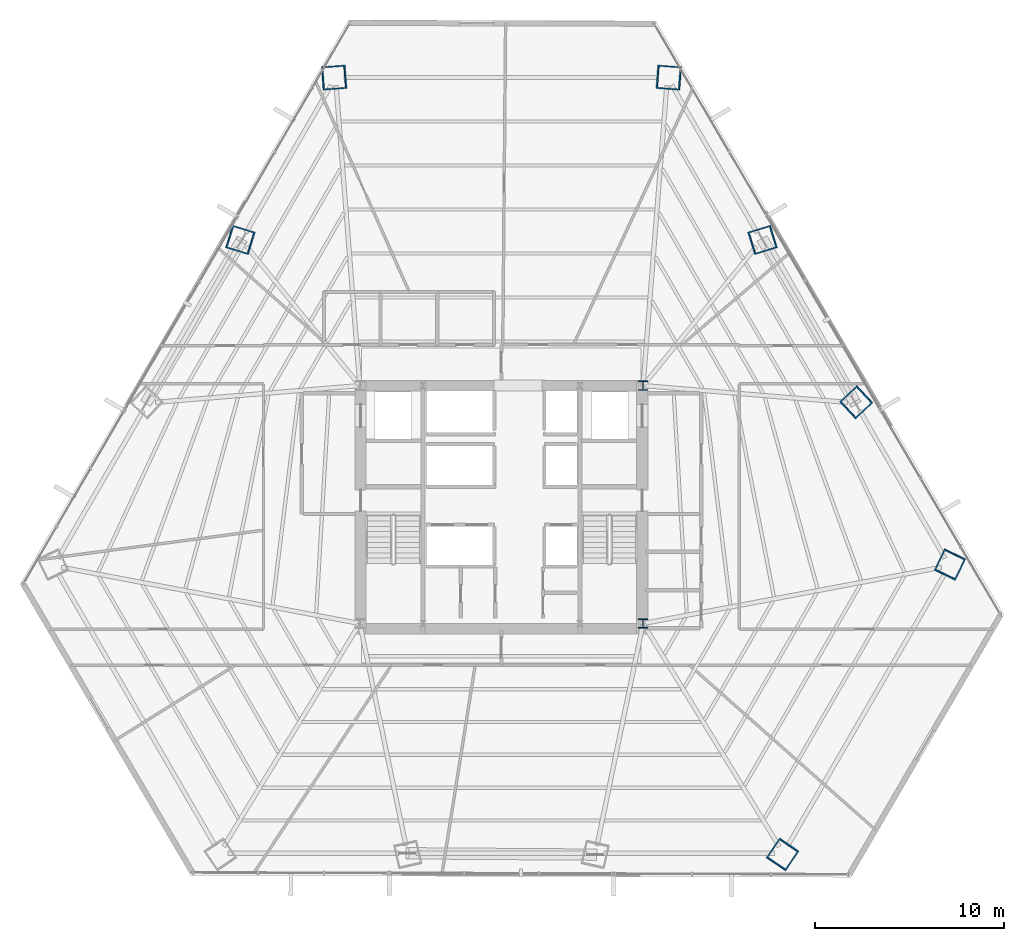
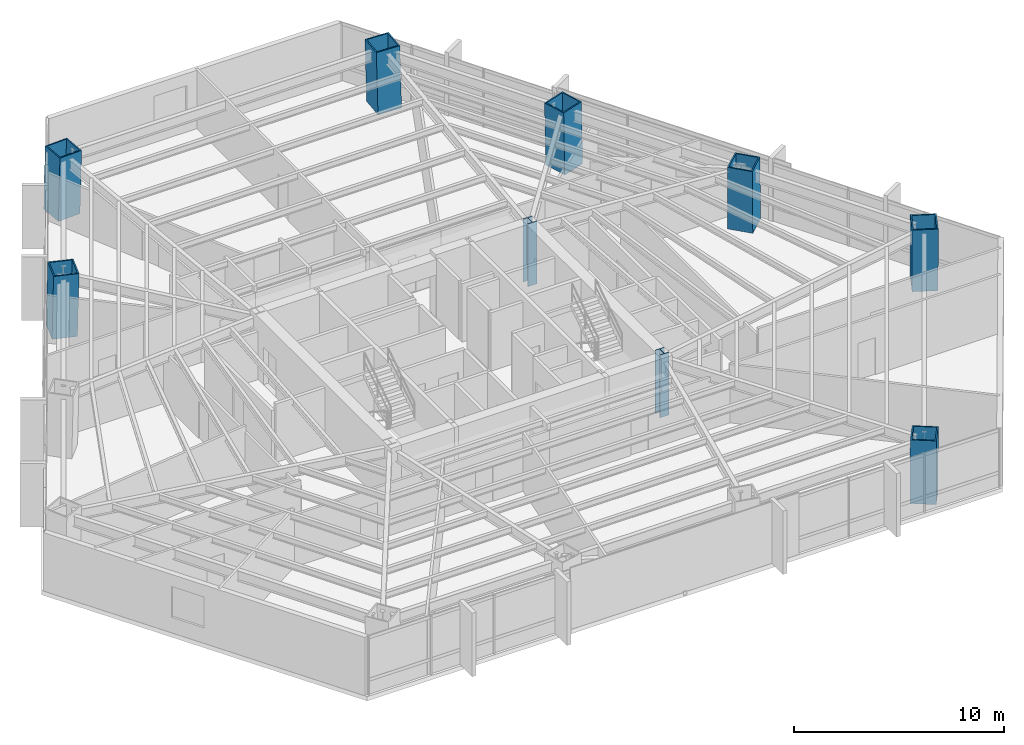
# One storey, part 2 of 37: 9 columns.
"""IFC4 building model written with IfcOpenShell, lengths in metres."""

from ifc_helpers import new_model, si_unit, direction, frame, origin, origin_2d, place, context, subcontext, project, spatial, hollow_rectangle, i_section, extrude, source, transform, mapped, material, material_profile, profile_set, type_object, type_shapes, element, save


model = new_model("IFC4")

# Units and contexts
model_context = context("Model", 3, precision=1e-05, world=origin(), true_north=direction((0.0, 1.0)))
body_context = subcontext(model_context, "Body", "Model", "MODEL_VIEW")
ifc_project = project(units=[si_unit("LENGTHUNIT", "METRE"), si_unit("AREAUNIT", "SQUARE_METRE"), si_unit("VOLUMEUNIT", "CUBIC_METRE"), si_unit("PLANEANGLEUNIT", "RADIAN"), si_unit("MASSUNIT", "GRAM", prefix="KILO")], contexts=[model_context])

# Site, building, storey
site_placement = place(None, origin())
site = spatial("IfcSite", under=ifc_project, at=site_placement, CompositionType="ELEMENT")
building_placement = place(site_placement, origin())
building = spatial("IfcBuilding", under=site, at=building_placement, Name="Caelisora Broadcast Tower", CompositionType="ELEMENT")
storey_placement = place(building_placement, frame((0.0, 0.0, 45.85009765625)))
storey = spatial("IfcBuildingStorey", under=building, at=storey_placement, Name="L11", CompositionType="ELEMENT", Elevation=45.85009765625)

# Columns
ifc_material_1 = material(Name="Steel Grade 350 (AS/NZS 3679.2)", Category="steel")
ifc_material_profile_1 = material_profile(ifc_material_1, i_section(OverallWidth=0.5, OverallDepth=0.5, WebThickness=0.028076171875, FlangeThickness=0.0400390625, at=origin_2d()), Name="Steel Grade 350 (AS/NZS 3679.2)")
ifc_profile_set_1 = profile_set([ifc_material_profile_1], Name="Steel Grade 350 (AS/NZS 3679.2)")
column_type_1 = type_object("IfcColumnType", Name="CC01", PredefinedType="COLUMN", material=ifc_profile_set_1)
shared_shape_1 = source(origin(), body_context, "Body", "SweptSolid", [
    extrude(i_section(OverallWidth=0.5, OverallDepth=0.5, WebThickness=0.028076171875, FlangeThickness=0.0400390625, at=origin_2d()), origin(), (0.0, 0.0, 1.0), 3.64990234375),
])
type_shapes(column_type_1, [shared_shape_1])
for number, where, z_axis, x_axis, name in (
    (1, (45.5, 17.39990234375, 0.0), (0.0, 0.0, 1.0), (1.0, 0.0, 0.0), "L11 column CC01"),
    (2, (45.5, 30.0, 0.0), (0.0, 0.0, 1.0), (1.0, 0.0, 0.0), "L11 column CC01"),
):
    element("IfcColumn", number, at=place(storey_placement, frame(where, z_axis=z_axis, x_axis=x_axis)), inside=storey, type_object=column_type_1, Name=name, PredefinedType="COLUMN", context=body_context, shape_type="MappedRepresentation", body=[
        mapped(shared_shape_1, transform((0.0, 0.0, 0.0), scale=1.0)),
    ])
ifc_material_2 = material(Name="Steel Grade 350 L15 (AS/NZS 3678)", Category="steel")
ifc_material_profile_2 = material_profile(ifc_material_2, hollow_rectangle(XDim=1.25, YDim=1.25, WallThickness=0.070068359375, at=origin_2d()), Name="Steel Grade 350 L15 (AS/NZS 3678)")
ifc_profile_set_2 = profile_set([ifc_material_profile_2], Name="Steel Grade 350 L15 (AS/NZS 3678)")
column_type_2 = type_object("IfcColumnType", Name="MC02", PredefinedType="COLUMN", material=ifc_profile_set_2)
shared_shape_2 = source(origin(), body_context, "Body", "SweptSolid", [
    extrude(hollow_rectangle(XDim=1.25, YDim=1.25, WallThickness=0.070068359375, at=origin_2d()), origin(), (0.0, 0.0, 1.0), 3.65087890625),
])
for number, where, z_axis, x_axis, name in (
    (3, (46.87548828125, 46.30419921875, 0.0), (-0.023872756997, 0.001738632162, 0.999713493273), (-0.07263675076, -0.997358462359, 0.0), "L11 column MC02"),
    (4, (29.12451171875, 46.30419921875, 0.0), (0.023872756997, 0.001738632162, 0.999713493273), (-0.07263675076, 0.997358462359, 0.0), "L11 column MC02"),
    (5, (52.878173828125, 5.16162109375, 0.0), (0.013440967269, 0.019793663242, 0.999713734673), (-0.827290216258, 0.561774775229, 0.0), "L11 column MC02"),
    (6, (61.753662109375, 20.534423828125, 0.0), (-0.010364932146, -0.021532310652, 0.999714423113), (0.901042175273, -0.433731481886, 0.0), "L11 column MC02"),
):
    element("IfcColumn", number, at=place(storey_placement, frame(where, z_axis=z_axis, x_axis=x_axis)), inside=storey, type_object=column_type_2, Name=name, PredefinedType="COLUMN", context=body_context, shape_type="MappedRepresentation", body=[
        mapped(shared_shape_2, transform((0.0, 0.0, 0.0), scale=1.0)),
    ])
shared_shape_3 = source(origin(), body_context, "Body", "SweptSolid", [
    extrude(hollow_rectangle(XDim=1.25, YDim=1.25, WallThickness=0.070068359375, at=origin_2d()), origin(), (0.0, 0.0, 1.0), 3.650634765625),
])
type_shapes(column_type_2, [shared_shape_2, shared_shape_3])
for number, where, z_axis, x_axis, name in (
    (7, (24.1650390625, 37.714111328125, 0.0), (0.019394001249, -0.005951952107, 0.999794202314), (0.293390827749, 0.9559925848, 0.0), "L11 column MC02"),
    (8, (56.794189453125, 29.124267578125, 0.0), (-0.014846452328, -0.013776437746, 0.99979487527), (0.68019775991, -0.733028653883, 0.0), "L11 column MC02"),
    (9, (51.8349609375, 37.714111328125, 0.0), (-0.019394001249, -0.005951952107, 0.999794202314), (0.293390827749, -0.9559925848, 0.0), "L11 column MC02"),
):
    element("IfcColumn", number, at=place(storey_placement, frame(where, z_axis=z_axis, x_axis=x_axis)), inside=storey, type_object=column_type_2, Name=name, PredefinedType="COLUMN", context=body_context, shape_type="MappedRepresentation", body=[
        mapped(shared_shape_3, transform((0.0, 0.0, 0.0), scale=1.0)),
    ])

save(model, "model.ifc")
